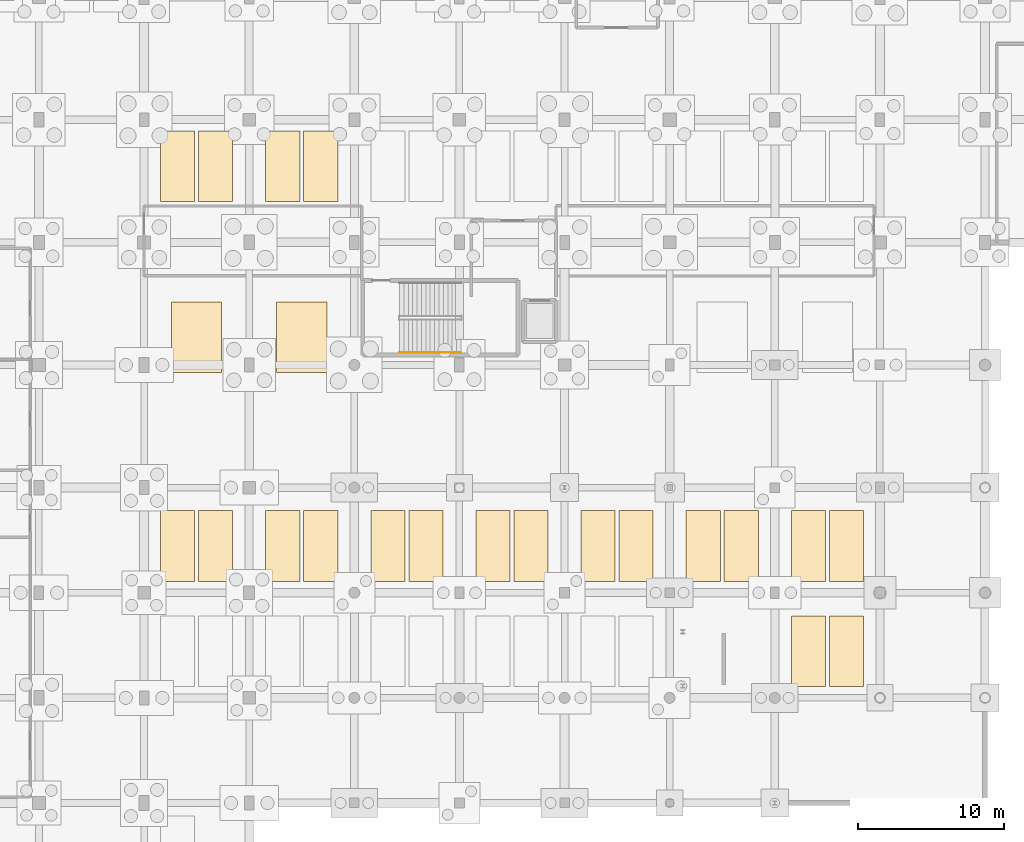
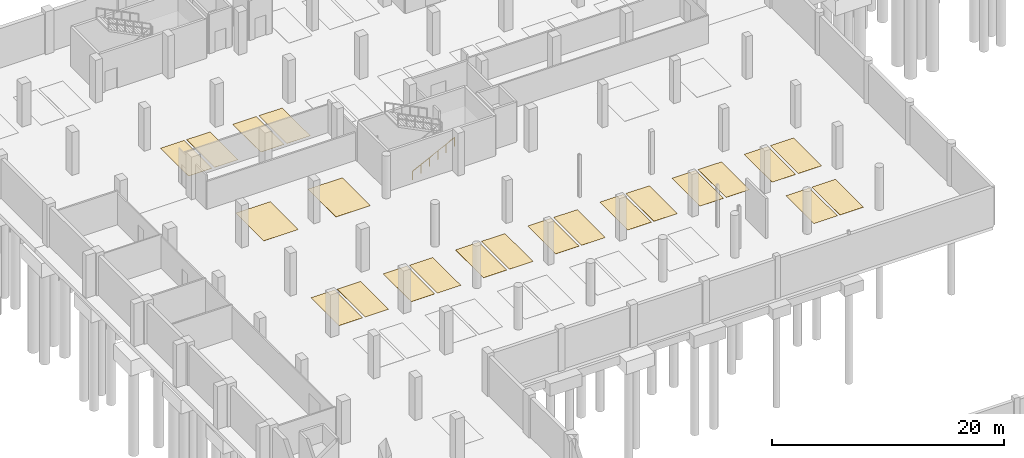
# One storey, part 30 of 35: 22 coverings, 1 railing.
"""IFC4 building model written with IfcOpenShell, lengths in metres."""

from ifc_helpers import new_model, si_unit, direction, frame, origin, origin_2d, place, context, subcontext, project, spatial, polyline, circle, outline, extrude, material, layer, layer_set, type_object, element, save


model = new_model("IFC4")

# Units and contexts
model_context = context("Model", 3, precision=1e-05, world=origin(), true_north=direction((0.0, 1.0)))
body_context = subcontext(model_context, "Body", "Model", "MODEL_VIEW")
ifc_project = project(units=[si_unit("LENGTHUNIT", "METRE"), si_unit("AREAUNIT", "SQUARE_METRE"), si_unit("VOLUMEUNIT", "CUBIC_METRE"), si_unit("PLANEANGLEUNIT", "RADIAN"), si_unit("MASSUNIT", "GRAM", prefix="KILO")], contexts=[model_context])

# Site, building, storey
site_placement = place(None, origin())
site = spatial("IfcSite", under=ifc_project, at=site_placement, CompositionType="ELEMENT")
building_placement = place(site_placement, origin())
building = spatial("IfcBuilding", under=site, at=building_placement, Name="Kalluvel Institute of Natural Sciences", CompositionType="ELEMENT")
storey_placement = place(building_placement, frame((0.0, 0.0, -4.5)))
storey = spatial("IfcBuildingStorey", under=building, at=storey_placement, Name="B1", CompositionType="ELEMENT", Elevation=-4.5)

# Coverings
ifc_material_1 = material(Name="Seamless Chemical-Resistant Epoxy Flooring", Category="resin")
ifc_layer = layer(ifc_material_1, 0.014892578125)
ifc_layer_set = layer_set([ifc_layer], Name="Seamless Chemical-Resistant Epoxy Flooring")
covering_type = type_object("IfcCoveringType", Name="COV-FLR-EPOXY", PredefinedType="FLOORING", material=ifc_layer_set)
covering_1_placement = place(storey_placement, origin())
element("IfcCovering", 1, at=covering_1_placement, inside=storey, type_object=covering_type, Name="Parking bay marking B1-P01", PredefinedType="FLOORING", context=body_context, shape_type="SweptSolid", body=[
    extrude(outline(polyline([(29.530029296875, 105.580078125), (31.8701171875, 105.580078125), (31.8701171875, 110.419921875), (29.530029296875, 110.419921875), (29.530029296875, 105.580078125)])), origin(), (0.0, 0.0, 1.0), 0.008056640625),
])
covering_2_placement = place(storey_placement, origin())
element("IfcCovering", 2, at=covering_2_placement, inside=storey, type_object=covering_type, Name="Parking bay marking B1-P02", PredefinedType="FLOORING", context=body_context, shape_type="SweptSolid", body=[
    extrude(outline(polyline([(32.1298828125, 105.580078125), (34.469970703125, 105.580078125), (34.469970703125, 110.419921875), (32.1298828125, 110.419921875), (32.1298828125, 105.580078125)])), origin(), (0.0, 0.0, 1.0), 0.008056640625),
])
covering_3_placement = place(storey_placement, origin())
element("IfcCovering", 3, at=covering_3_placement, inside=storey, type_object=covering_type, Name="Parking bay marking B1-P03", PredefinedType="FLOORING", context=body_context, shape_type="SweptSolid", body=[
    extrude(outline(polyline([(36.72998046875, 105.580078125), (39.070068359375, 105.580078125), (39.070068359375, 110.419921875), (36.72998046875, 110.419921875), (36.72998046875, 105.580078125)])), origin(), (0.0, 0.0, 1.0), 0.008056640625),
])
covering_4_placement = place(storey_placement, origin())
element("IfcCovering", 4, at=covering_4_placement, inside=storey, type_object=covering_type, Name="Parking bay marking B1-P04", PredefinedType="FLOORING", context=body_context, shape_type="SweptSolid", body=[
    extrude(outline(polyline([(39.330078125, 105.580078125), (41.669921875, 105.580078125), (41.669921875, 110.419921875), (39.330078125, 110.419921875), (39.330078125, 105.580078125)])), origin(), (0.0, 0.0, 1.0), 0.008056640625),
])
covering_5_placement = place(storey_placement, origin())
element("IfcCovering", 5, at=covering_5_placement, inside=storey, type_object=covering_type, Name="Parking bay marking B1-P22", PredefinedType="FLOORING", context=body_context, shape_type="SweptSolid", body=[
    extrude(outline(polyline([(29.530029296875, 79.580078125), (31.8701171875, 79.580078125), (31.8701171875, 84.419921875), (29.530029296875, 84.419921875), (29.530029296875, 79.580078125)])), origin(), (0.0, 0.0, 1.0), 0.008056640625),
])
covering_6_placement = place(storey_placement, origin())
element("IfcCovering", 6, at=covering_6_placement, inside=storey, type_object=covering_type, Name="Parking bay marking B1-P23", PredefinedType="FLOORING", context=body_context, shape_type="SweptSolid", body=[
    extrude(outline(polyline([(32.1298828125, 79.580078125), (34.469970703125, 79.580078125), (34.469970703125, 84.419921875), (32.1298828125, 84.419921875), (32.1298828125, 79.580078125)])), origin(), (0.0, 0.0, 1.0), 0.008056640625),
])
covering_7_placement = place(storey_placement, origin())
element("IfcCovering", 7, at=covering_7_placement, inside=storey, type_object=covering_type, Name="Parking bay marking B1-P24", PredefinedType="FLOORING", context=body_context, shape_type="SweptSolid", body=[
    extrude(outline(polyline([(36.72998046875, 79.580078125), (39.070068359375, 79.580078125), (39.070068359375, 84.419921875), (36.72998046875, 84.419921875), (36.72998046875, 79.580078125)])), origin(), (0.0, 0.0, 1.0), 0.008056640625),
])
covering_8_placement = place(storey_placement, origin())
element("IfcCovering", 8, at=covering_8_placement, inside=storey, type_object=covering_type, Name="Parking bay marking B1-P25", PredefinedType="FLOORING", context=body_context, shape_type="SweptSolid", body=[
    extrude(outline(polyline([(39.330078125, 79.580078125), (41.669921875, 79.580078125), (41.669921875, 84.419921875), (39.330078125, 84.419921875), (39.330078125, 79.580078125)])), origin(), (0.0, 0.0, 1.0), 0.008056640625),
])
covering_9_placement = place(storey_placement, origin())
element("IfcCovering", 9, at=covering_9_placement, inside=storey, type_object=covering_type, Name="Parking bay marking B1-P26", PredefinedType="FLOORING", context=body_context, shape_type="SweptSolid", body=[
    extrude(outline(polyline([(43.929931640625, 79.580078125), (46.27001953125, 79.580078125), (46.27001953125, 84.419921875), (43.929931640625, 84.419921875), (43.929931640625, 79.580078125)])), origin(), (0.0, 0.0, 1.0), 0.008056640625),
])
covering_10_placement = place(storey_placement, origin())
element("IfcCovering", 10, at=covering_10_placement, inside=storey, type_object=covering_type, Name="Parking bay marking B1-P27", PredefinedType="FLOORING", context=body_context, shape_type="SweptSolid", body=[
    extrude(outline(polyline([(46.530029296875, 79.580078125), (48.8701171875, 79.580078125), (48.8701171875, 84.419921875), (46.530029296875, 84.419921875), (46.530029296875, 79.580078125)])), origin(), (0.0, 0.0, 1.0), 0.008056640625),
])
covering_11_placement = place(storey_placement, origin())
element("IfcCovering", 11, at=covering_11_placement, inside=storey, type_object=covering_type, Name="Parking bay marking B1-P28", PredefinedType="FLOORING", context=body_context, shape_type="SweptSolid", body=[
    extrude(outline(polyline([(51.1298828125, 79.580078125), (53.469970703125, 79.580078125), (53.469970703125, 84.419921875), (51.1298828125, 84.419921875), (51.1298828125, 79.580078125)])), origin(), (0.0, 0.0, 1.0), 0.008056640625),
])
covering_12_placement = place(storey_placement, origin())
element("IfcCovering", 12, at=covering_12_placement, inside=storey, type_object=covering_type, Name="Parking bay marking B1-P29", PredefinedType="FLOORING", context=body_context, shape_type="SweptSolid", body=[
    extrude(outline(polyline([(53.72998046875, 79.580078125), (56.070068359375, 79.580078125), (56.070068359375, 84.419921875), (53.72998046875, 84.419921875), (53.72998046875, 79.580078125)])), origin(), (0.0, 0.0, 1.0), 0.008056640625),
])
covering_13_placement = place(storey_placement, origin())
element("IfcCovering", 13, at=covering_13_placement, inside=storey, type_object=covering_type, Name="Parking bay marking B1-P30", PredefinedType="FLOORING", context=body_context, shape_type="SweptSolid", body=[
    extrude(outline(polyline([(58.330078125, 79.580078125), (60.669921875, 79.580078125), (60.669921875, 84.419921875), (58.330078125, 84.419921875), (58.330078125, 79.580078125)])), origin(), (0.0, 0.0, 1.0), 0.008056640625),
])
covering_14_placement = place(storey_placement, origin())
element("IfcCovering", 14, at=covering_14_placement, inside=storey, type_object=covering_type, Name="Parking bay marking B1-P31", PredefinedType="FLOORING", context=body_context, shape_type="SweptSolid", body=[
    extrude(outline(polyline([(60.929931640625, 79.580078125), (63.27001953125, 79.580078125), (63.27001953125, 84.419921875), (60.929931640625, 84.419921875), (60.929931640625, 79.580078125)])), origin(), (0.0, 0.0, 1.0), 0.008056640625),
])
covering_15_placement = place(storey_placement, origin())
element("IfcCovering", 15, at=covering_15_placement, inside=storey, type_object=covering_type, Name="Parking bay marking B1-P32", PredefinedType="FLOORING", context=body_context, shape_type="SweptSolid", body=[
    extrude(outline(polyline([(65.530029296875, 79.580078125), (67.8701171875, 79.580078125), (67.8701171875, 84.419921875), (65.530029296875, 84.419921875), (65.530029296875, 79.580078125)])), origin(), (0.0, 0.0, 1.0), 0.008056640625),
])
covering_16_placement = place(storey_placement, origin())
element("IfcCovering", 16, at=covering_16_placement, inside=storey, type_object=covering_type, Name="Parking bay marking B1-P33", PredefinedType="FLOORING", context=body_context, shape_type="SweptSolid", body=[
    extrude(outline(polyline([(68.1298828125, 79.580078125), (70.469970703125, 79.580078125), (70.469970703125, 84.419921875), (68.1298828125, 84.419921875), (68.1298828125, 79.580078125)])), origin(), (0.0, 0.0, 1.0), 0.008056640625),
])
covering_17_placement = place(storey_placement, origin())
element("IfcCovering", 17, at=covering_17_placement, inside=storey, type_object=covering_type, Name="Parking bay marking B1-P34", PredefinedType="FLOORING", context=body_context, shape_type="SweptSolid", body=[
    extrude(outline(polyline([(72.72998046875, 79.580078125), (75.070068359375, 79.580078125), (75.070068359375, 84.419921875), (72.72998046875, 84.419921875), (72.72998046875, 79.580078125)])), origin(), (0.0, 0.0, 1.0), 0.008056640625),
])
covering_18_placement = place(storey_placement, origin())
element("IfcCovering", 18, at=covering_18_placement, inside=storey, type_object=covering_type, Name="Parking bay marking B1-P35", PredefinedType="FLOORING", context=body_context, shape_type="SweptSolid", body=[
    extrude(outline(polyline([(75.330078125, 79.580078125), (77.669921875, 79.580078125), (77.669921875, 84.419921875), (75.330078125, 84.419921875), (75.330078125, 79.580078125)])), origin(), (0.0, 0.0, 1.0), 0.008056640625),
])
covering_19_placement = place(storey_placement, origin())
element("IfcCovering", 19, at=covering_19_placement, inside=storey, type_object=covering_type, Name="Parking bay marking B1-P46", PredefinedType="FLOORING", context=body_context, shape_type="SweptSolid", body=[
    extrude(outline(polyline([(72.72998046875, 72.3798828125), (75.070068359375, 72.3798828125), (75.070068359375, 77.219970703125), (72.72998046875, 77.219970703125), (72.72998046875, 72.3798828125)])), origin(), (0.0, 0.0, 1.0), 0.008056640625),
])
covering_20_placement = place(storey_placement, origin())
element("IfcCovering", 20, at=covering_20_placement, inside=storey, type_object=covering_type, Name="Parking bay marking B1-P47", PredefinedType="FLOORING", context=body_context, shape_type="SweptSolid", body=[
    extrude(outline(polyline([(75.330078125, 72.3798828125), (77.669921875, 72.3798828125), (77.669921875, 77.219970703125), (75.330078125, 77.219970703125), (75.330078125, 72.3798828125)])), origin(), (0.0, 0.0, 1.0), 0.008056640625),
])
covering_21_placement = place(storey_placement, origin())
element("IfcCovering", 21, at=covering_21_placement, inside=storey, type_object=covering_type, Name="Accessible parking bay marking B1-PA01", PredefinedType="FLOORING", context=body_context, shape_type="SweptSolid", body=[
    extrude(outline(polyline([(30.280029296875, 93.8798828125), (33.719970703125, 93.8798828125), (33.719970703125, 98.719970703125), (30.280029296875, 98.719970703125), (30.280029296875, 93.8798828125)])), origin(), (0.0, 0.0, 1.0), 0.008056640625),
])
covering_22_placement = place(storey_placement, origin())
element("IfcCovering", 22, at=covering_22_placement, inside=storey, type_object=covering_type, Name="Accessible parking bay marking B1-PA02", PredefinedType="FLOORING", context=body_context, shape_type="SweptSolid", body=[
    extrude(outline(polyline([(37.47998046875, 93.8798828125), (40.919921875, 93.8798828125), (40.919921875, 98.719970703125), (37.47998046875, 98.719970703125), (37.47998046875, 93.8798828125)])), origin(), (0.0, 0.0, 1.0), 0.008056640625),
])

# Railing
ifc_material_2 = material(Name="Galvanized Fire-Rated Steel", Category="steel")
railing_type = type_object("IfcRailingType", Name="RL-HR-STAIR", PredefinedType="HANDRAIL", material=ifc_material_2)
railing_placement = place(storey_placement, frame((45.89990234375, 95.25, 0.14990234375)))
element("IfcRailing", 23, at=railing_placement, inside=storey, type_object=railing_type, Name="B1 ST3 stair handrail 1", PredefinedType="HANDRAIL", context=body_context, shape_type="SweptSolid", body=[
    extrude(circle(Radius=0.02392578125, at=origin_2d()), frame((0.0, 0.0, 0.89599609375), z_axis=(0.894427191, 0.0, 0.4472135955), x_axis=(0.0, 1.0, 0.0)), (0.0, 0.0, 1.0), 4.696044921875),
    extrude(circle(Radius=0.02099609375, at=origin_2d()), origin(), (0.0, 0.0, 1.0), 0.871826171875),
    extrude(circle(Radius=0.02099609375, at=origin_2d()), frame((0.840087890625, 0.0, 0.419921875)), (0.0, 0.0, 1.0), 0.871826171875),
    extrude(circle(Radius=0.02099609375, at=origin_2d()), frame((1.68017578125, 0.0, 0.840087890625)), (0.0, 0.0, 1.0), 0.871826171875),
    extrude(circle(Radius=0.02099609375, at=origin_2d()), frame((2.52001953125, 0.0, 1.260009765625)), (0.0, 0.0, 1.0), 0.871826171875),
    extrude(circle(Radius=0.02099609375, at=origin_2d()), frame((3.360107421875, 0.0, 1.68017578125)), (0.0, 0.0, 1.0), 0.871826171875),
    extrude(circle(Radius=0.02099609375, at=origin_2d()), frame((4.2001953125, 0.0, 2.10009765625)), (0.0, 0.0, 1.0), 0.871826171875),
])

save(model, "model.ifc")
